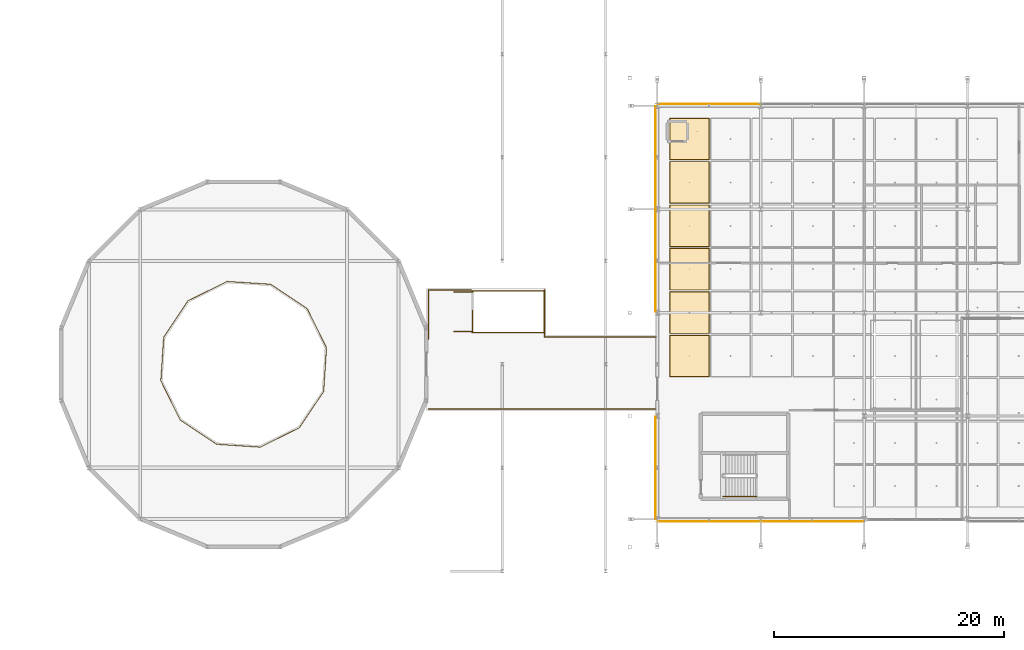
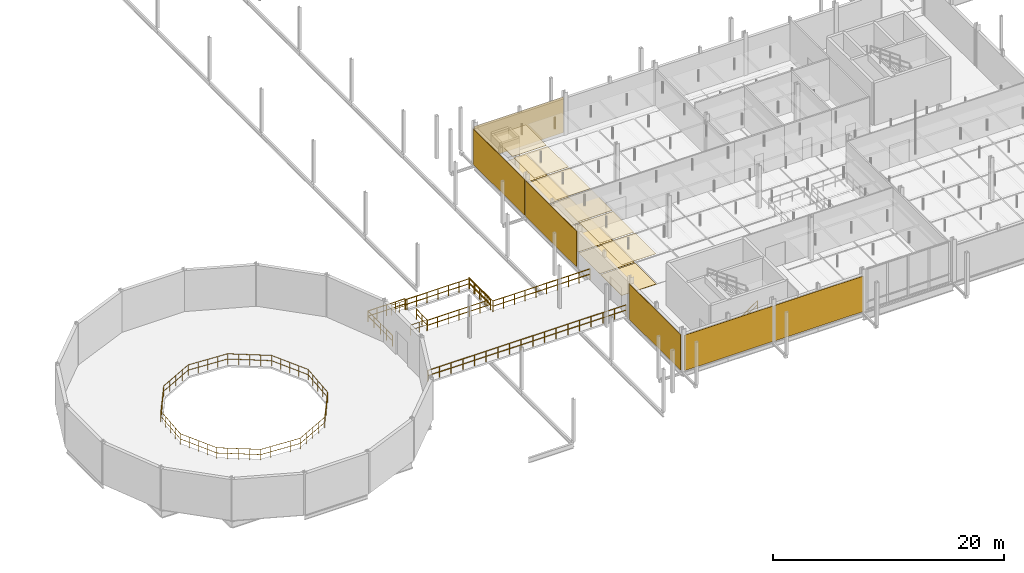
# One storey, part 118 of 130: 18 coverings, 13 railings.
"""IFC4 building model written with IfcOpenShell, lengths in metres."""

from ifc_helpers import new_model, si_unit, direction, frame, origin, origin_2d, place, context, subcontext, project, spatial, rectangle, circle, extrude, material, layer, layer_set, type_object, element, save


model = new_model("IFC4")

# Units and contexts
model_context = context("Model", 3, precision=1e-05, world=origin(), true_north=direction((0.0, 1.0)))
body_context = subcontext(model_context, "Body", "Model", "MODEL_VIEW")
ifc_project = project(units=[si_unit("LENGTHUNIT", "METRE"), si_unit("AREAUNIT", "SQUARE_METRE"), si_unit("VOLUMEUNIT", "CUBIC_METRE"), si_unit("PLANEANGLEUNIT", "RADIAN"), si_unit("MASSUNIT", "GRAM", prefix="KILO"), si_unit("THERMODYNAMICTEMPERATUREUNIT", "KELVIN"), si_unit("POWERUNIT", "WATT")], contexts=[model_context])

# Site, building, storey
site_placement = place(None, origin())
site = spatial("IfcSite", under=ifc_project, at=site_placement, CompositionType="ELEMENT")
building_placement = place(site_placement, origin())
building = spatial("IfcBuilding", under=site, at=building_placement, Name="Tallowbark Science Centre", CompositionType="ELEMENT")
storey_placement = place(building_placement, frame((0.0, 0.0, 5.39990234375)))
storey = spatial("IfcBuildingStorey", under=building, at=storey_placement, Name="L01", CompositionType="ELEMENT", Elevation=5.39990234375)

# Coverings
ifc_material_1 = material(Name="Perforated Spotted Gum Acoustic Baffle Ceiling", Category="wood")
ifc_layer_1 = layer(ifc_material_1, 0.02490234375)
ifc_layer_set_1 = layer_set([ifc_layer_1], Name="Perforated Spotted Gum Acoustic Baffle Ceiling")
covering_type_1 = type_object("IfcCoveringType", Name="CLG-TIM-25", PredefinedType="CEILING", material=ifc_layer_set_1)
for number, where, z_axis, x_axis, name in (
    (1, (61.291748046875, 18.72216796875, 3.187744140625), (0.0, 0.0, 1.0), (1.0, 0.0, 0.0), "Suspended Ceiling L01-483"),
    (2, (61.291748046875, 22.5, 3.187744140625), (0.0, 0.0, 1.0), (1.0, 0.0, 0.0), "Suspended Ceiling L01-484"),
    (3, (61.291748046875, 26.27783203125, 3.187744140625), (0.0, 0.0, 1.0), (1.0, 0.0, 0.0), "Suspended Ceiling L01-485"),
    (4, (61.291748046875, 30.0556640625, 3.187744140625), (0.0, 0.0, 1.0), (1.0, 0.0, 0.0), "Suspended Ceiling L01-486"),
    (5, (61.291748046875, 33.833251953125, 3.187744140625), (0.0, 0.0, 1.0), (1.0, 0.0, 0.0), "Suspended Ceiling L01-487"),
    (6, (61.291748046875, 37.611083984375, 3.187744140625), (0.0, 0.0, 1.0), (1.0, 0.0, 0.0), "Suspended Ceiling L01-488"),
):
    element("IfcCovering", number, at=place(storey_placement, frame(where, z_axis=z_axis, x_axis=x_axis)), inside=storey, type_object=covering_type_1, Name=name, PredefinedType="CEILING", context=body_context, shape_type="SweptSolid", body=[
        extrude(rectangle(XDim=3.4033203125, YDim=3.597900390625, at=origin_2d()), origin(), (0.0, 0.0, 1.0), 0.02490234375),
    ])
ifc_material_2 = material(Name="Spotted Gum Hardwood Architectural Rainscreen", Category="wood")
ifc_layer_2 = layer(ifc_material_2, 0.0419921875)
ifc_layer_set_2 = layer_set([ifc_layer_2], Name="Spotted Gum Hardwood Architectural Rainscreen")
covering_type_2 = type_object("IfcCoveringType", Name="COV-TIM-CLAD", PredefinedType="CLADDING", material=ifc_layer_set_2)
for number, where, z_axis, x_axis, name in (
    (7, (63.0, 4.33154296875, 0.050048828125), (0.0, 0.0, 1.0), (1.0, 0.0, 0.0), "Architectural Rainscreen CUB-S-L01-0"),
    (8, (63.0, 40.66845703125, 0.050048828125), (0.0, 0.0, 1.0), (-1.0, 0.0, 0.0), "Architectural Rainscreen CUB-N-L01-0"),
    (9, (72.0, 4.33154296875, 0.050048828125), (0.0, 0.0, 1.0), (1.0, 0.0, 0.0), "Architectural Rainscreen CUB-S-L01-1"),
    (10, (58.33154296875, 9.0, 0.050048828125), (0.0, 0.0, 1.0), (0.0, -1.0, 0.0), "Architectural Rainscreen CUB-W-L01-0"),
    (11, (58.33154296875, 27.0, 0.050048828125), (0.0, 0.0, 1.0), (0.0, -1.0, 0.0), "Architectural Rainscreen CUB-W-L01-2"),
    (12, (58.33154296875, 36.0, 0.050048828125), (0.0, 0.0, 1.0), (0.0, -1.0, 0.0), "Architectural Rainscreen CUB-W-L01-3"),
):
    element("IfcCovering", number, at=place(storey_placement, frame(where, z_axis=z_axis, x_axis=x_axis)), inside=storey, type_object=covering_type_2, Name=name, PredefinedType="CLADDING", context=body_context, shape_type="SweptSolid", body=[
        extrude(rectangle(XDim=8.8798828125, YDim=0.0419921875, at=origin_2d()), origin(), (0.0, 0.0, 1.0), 3.74609375),
    ])
ifc_material_3 = material(Name="Engineered Blackbutt Gallery Timber Flooring", Category="wood")
ifc_layer_3 = layer(ifc_material_3, 0.02197265625)
ifc_layer_set_3 = layer_set([ifc_layer_3], Name="Engineered Blackbutt Gallery Timber Flooring")
covering_type_3 = type_object("IfcCoveringType", Name="FLR-TIM-22", PredefinedType="FLOORING", material=ifc_layer_set_3)
for number, where, z_axis, x_axis, name in (
    (13, (61.291748046875, 18.72216796875, 0.0), (0.0, 0.0, 1.0), (1.0, 0.0, 0.0), "Floor Finish L01-483"),
    (14, (61.291748046875, 22.5, 0.0), (0.0, 0.0, 1.0), (1.0, 0.0, 0.0), "Floor Finish L01-484"),
    (15, (61.291748046875, 26.27783203125, 0.0), (0.0, 0.0, 1.0), (1.0, 0.0, 0.0), "Floor Finish L01-485"),
    (16, (61.291748046875, 30.0556640625, 0.0), (0.0, 0.0, 1.0), (1.0, 0.0, 0.0), "Floor Finish L01-486"),
    (17, (61.291748046875, 33.833251953125, 0.0), (0.0, 0.0, 1.0), (1.0, 0.0, 0.0), "Floor Finish L01-487"),
    (18, (61.291748046875, 37.611083984375, 0.0), (0.0, 0.0, 1.0), (1.0, 0.0, 0.0), "Floor Finish L01-488"),
):
    element("IfcCovering", number, at=place(storey_placement, frame(where, z_axis=z_axis, x_axis=x_axis)), inside=storey, type_object=covering_type_3, Name=name, PredefinedType="FLOORING", context=body_context, shape_type="SweptSolid", body=[
        extrude(rectangle(XDim=3.46337890625, YDim=3.65771484375, at=origin_2d()), origin(), (0.0, 0.0, 1.0), 0.02197265625),
    ])

# Railings
ifc_material_4 = material(Name="Galvanised Painted Steel and Laminated Glass Balustrade", Category="steel")
ifc_layer_4 = layer(ifc_material_4, 0.070068359375)
ifc_layer_set_4 = layer_set([ifc_layer_4], Name="Galvanised Painted Steel and Laminated Glass Balustrade")
railing_type_1 = type_object("IfcRailingType", Name="RLG-BAL-1150", PredefinedType="BALUSTRADE", material=ifc_layer_set_4)
railing_1_placement = place(storey_placement, frame((38.60009765625, 14.1201171875, 0.0)))
element("IfcRailing", 19, at=railing_1_placement, inside=storey, type_object=railing_type_1, Name="Guardrail GD-BRG-L01-S", PredefinedType="BALUSTRADE", context=body_context, shape_type="SweptSolid", body=[
    extrude(circle(Radius=0.02392578125, at=origin_2d()), frame((0.0, 0.0, 1.1259765625), z_axis=(1.0, 0.0, 0.0), x_axis=(0.0, 1.0, 0.0)), (0.0, 0.0, 1.0), 19.7998046875),
    extrude(circle(Radius=0.02392578125, at=origin_2d()), frame((0.0, 0.0, 0.574951171875), z_axis=(1.0, 0.0, 0.0), x_axis=(0.0, 1.0, 0.0)), (0.0, 0.0, 1.0), 19.7998046875),
    extrude(circle(Radius=0.02099609375, at=origin_2d()), origin(), (0.0, 0.0, 1.0), 1.101806640625),
    extrude(circle(Radius=0.02099609375, at=origin_2d()), frame((1.164794921875, 0.0, 0.0)), (0.0, 0.0, 1.0), 1.101806640625),
    extrude(circle(Radius=0.02099609375, at=origin_2d()), frame((2.329345703125, 0.0, 0.0)), (0.0, 0.0, 1.0), 1.101806640625),
    extrude(circle(Radius=0.02099609375, at=origin_2d()), frame((3.494140625, 0.0, 0.0)), (0.0, 0.0, 1.0), 1.101806640625),
    extrude(circle(Radius=0.02099609375, at=origin_2d()), frame((4.65869140625, 0.0, 0.0)), (0.0, 0.0, 1.0), 1.101806640625),
    extrude(circle(Radius=0.02099609375, at=origin_2d()), frame((5.823486328125, 0.0, 0.0)), (0.0, 0.0, 1.0), 1.101806640625),
    extrude(circle(Radius=0.02099609375, at=origin_2d()), frame((6.98828125, 0.0, 0.0)), (0.0, 0.0, 1.0), 1.101806640625),
    extrude(circle(Radius=0.02099609375, at=origin_2d()), frame((8.15283203125, 0.0, 0.0)), (0.0, 0.0, 1.0), 1.101806640625),
    extrude(circle(Radius=0.02099609375, at=origin_2d()), frame((9.317626953125, 0.0, 0.0)), (0.0, 0.0, 1.0), 1.101806640625),
    extrude(circle(Radius=0.02099609375, at=origin_2d()), frame((10.482177734375, 0.0, 0.0)), (0.0, 0.0, 1.0), 1.101806640625),
    extrude(circle(Radius=0.02099609375, at=origin_2d()), frame((11.64697265625, 0.0, 0.0)), (0.0, 0.0, 1.0), 1.101806640625),
    extrude(circle(Radius=0.02099609375, at=origin_2d()), frame((12.8115234375, 0.0, 0.0)), (0.0, 0.0, 1.0), 1.101806640625),
    extrude(circle(Radius=0.02099609375, at=origin_2d()), frame((13.976318359375, 0.0, 0.0)), (0.0, 0.0, 1.0), 1.101806640625),
    extrude(circle(Radius=0.02099609375, at=origin_2d()), frame((15.14111328125, 0.0, 0.0)), (0.0, 0.0, 1.0), 1.101806640625),
    extrude(circle(Radius=0.02099609375, at=origin_2d()), frame((16.3056640625, 0.0, 0.0)), (0.0, 0.0, 1.0), 1.101806640625),
    extrude(circle(Radius=0.02099609375, at=origin_2d()), frame((17.470458984375, 0.0, 0.0)), (0.0, 0.0, 1.0), 1.101806640625),
    extrude(circle(Radius=0.02099609375, at=origin_2d()), frame((18.635009765625, 0.0, 0.0)), (0.0, 0.0, 1.0), 1.101806640625),
    extrude(circle(Radius=0.02099609375, at=origin_2d()), frame((19.7998046875, 0.0, 0.0)), (0.0, 0.0, 1.0), 1.101806640625),
])
railing_2_placement = place(storey_placement, frame((48.699951171875, 20.3798828125, 0.0)))
element("IfcRailing", 20, at=railing_2_placement, inside=storey, type_object=railing_type_1, Name="Guardrail GD-BRG-L01-NE", PredefinedType="BALUSTRADE", context=body_context, shape_type="SweptSolid", body=[
    extrude(circle(Radius=0.02392578125, at=origin_2d()), frame((0.0, 0.0, 1.1259765625), z_axis=(1.0, 0.0, 0.0), x_axis=(0.0, 1.0, 0.0)), (0.0, 0.0, 1.0), 9.699951171875),
    extrude(circle(Radius=0.02392578125, at=origin_2d()), frame((0.0, 0.0, 0.574951171875), z_axis=(1.0, 0.0, 0.0), x_axis=(0.0, 1.0, 0.0)), (0.0, 0.0, 1.0), 9.699951171875),
    extrude(circle(Radius=0.02099609375, at=origin_2d()), origin(), (0.0, 0.0, 1.0), 1.101806640625),
    extrude(circle(Radius=0.02099609375, at=origin_2d()), frame((1.077880859375, 0.0, 0.0)), (0.0, 0.0, 1.0), 1.101806640625),
    extrude(circle(Radius=0.02099609375, at=origin_2d()), frame((2.155517578125, 0.0, 0.0)), (0.0, 0.0, 1.0), 1.101806640625),
    extrude(circle(Radius=0.02099609375, at=origin_2d()), frame((3.2333984375, 0.0, 0.0)), (0.0, 0.0, 1.0), 1.101806640625),
    extrude(circle(Radius=0.02099609375, at=origin_2d()), frame((4.31103515625, 0.0, 0.0)), (0.0, 0.0, 1.0), 1.101806640625),
    extrude(circle(Radius=0.02099609375, at=origin_2d()), frame((5.388916015625, 0.0, 0.0)), (0.0, 0.0, 1.0), 1.101806640625),
    extrude(circle(Radius=0.02099609375, at=origin_2d()), frame((6.466552734375, 0.0, 0.0)), (0.0, 0.0, 1.0), 1.101806640625),
    extrude(circle(Radius=0.02099609375, at=origin_2d()), frame((7.54443359375, 0.0, 0.0)), (0.0, 0.0, 1.0), 1.101806640625),
    extrude(circle(Radius=0.02099609375, at=origin_2d()), frame((8.6220703125, 0.0, 0.0)), (0.0, 0.0, 1.0), 1.101806640625),
    extrude(circle(Radius=0.02099609375, at=origin_2d()), frame((9.699951171875, 0.0, 0.0)), (0.0, 0.0, 1.0), 1.101806640625),
])
railing_3_placement = place(storey_placement, frame((38.60009765625, 24.47998046875, 0.0)))
element("IfcRailing", 21, at=railing_3_placement, inside=storey, type_object=railing_type_1, Name="Guardrail GD-BRG-L01-NW", PredefinedType="BALUSTRADE", context=body_context, shape_type="SweptSolid", body=[
    extrude(circle(Radius=0.02392578125, at=origin_2d()), frame((0.0, 0.0, 1.1259765625), z_axis=(1.0, 0.0, 0.0), x_axis=(0.0, 1.0, 0.0)), (0.0, 0.0, 1.0), 3.699951171875),
    extrude(circle(Radius=0.02392578125, at=origin_2d()), frame((0.0, 0.0, 0.574951171875), z_axis=(1.0, 0.0, 0.0), x_axis=(0.0, 1.0, 0.0)), (0.0, 0.0, 1.0), 3.699951171875),
    extrude(circle(Radius=0.02099609375, at=origin_2d()), origin(), (0.0, 0.0, 1.0), 1.101806640625),
    extrude(circle(Radius=0.02099609375, at=origin_2d()), frame((0.925048828125, 0.0, 0.0)), (0.0, 0.0, 1.0), 1.101806640625),
    extrude(circle(Radius=0.02099609375, at=origin_2d()), frame((1.85009765625, 0.0, 0.0)), (0.0, 0.0, 1.0), 1.101806640625),
    extrude(circle(Radius=0.02099609375, at=origin_2d()), frame((2.77490234375, 0.0, 0.0)), (0.0, 0.0, 1.0), 1.101806640625),
    extrude(circle(Radius=0.02099609375, at=origin_2d()), frame((3.699951171875, 0.0, 0.0)), (0.0, 0.0, 1.0), 1.101806640625),
])
railing_4_placement = place(storey_placement, frame((38.60009765625, 20.199951171875, 0.0)))
element("IfcRailing", 22, at=railing_4_placement, inside=storey, type_object=railing_type_1, Name="Guardrail GD-BRG-L01-W", PredefinedType="BALUSTRADE", context=body_context, shape_type="SweptSolid", body=[
    extrude(circle(Radius=0.02392578125, at=origin_2d()), frame((0.0, 0.0, 1.1259765625), z_axis=(0.0, 1.0, 0.0), x_axis=(-1.0, 0.0, 0.0)), (0.0, 0.0, 1.0), 4.280029296875),
    extrude(circle(Radius=0.02392578125, at=origin_2d()), frame((0.0, 0.0, 0.574951171875), z_axis=(0.0, 1.0, 0.0), x_axis=(-1.0, 0.0, 0.0)), (0.0, 0.0, 1.0), 4.280029296875),
    extrude(circle(Radius=0.02099609375, at=origin_2d()), origin(), (0.0, 0.0, 1.0), 1.101806640625),
    extrude(circle(Radius=0.02099609375, at=origin_2d()), frame((0.0, 1.070068359375, 0.0)), (0.0, 0.0, 1.0), 1.101806640625),
    extrude(circle(Radius=0.02099609375, at=origin_2d()), frame((0.0, 2.14013671875, 0.0)), (0.0, 0.0, 1.0), 1.101806640625),
    extrude(circle(Radius=0.02099609375, at=origin_2d()), frame((0.0, 3.2099609375, 0.0)), (0.0, 0.0, 1.0), 1.101806640625),
    extrude(circle(Radius=0.02099609375, at=origin_2d()), frame((0.0, 4.280029296875, 0.0)), (0.0, 0.0, 1.0), 1.101806640625),
])
railing_5_placement = place(storey_placement, frame((48.699951171875, 20.3798828125, 0.0)))
element("IfcRailing", 23, at=railing_5_placement, inside=storey, type_object=railing_type_1, Name="Guardrail GD-BRG-L01-E", PredefinedType="BALUSTRADE", context=body_context, shape_type="SweptSolid", body=[
    extrude(circle(Radius=0.02392578125, at=origin_2d()), frame((0.0, 0.0, 1.1259765625), z_axis=(0.0, 1.0, 0.0), x_axis=(-1.0, 0.0, 0.0)), (0.0, 0.0, 1.0), 4.10009765625),
    extrude(circle(Radius=0.02392578125, at=origin_2d()), frame((0.0, 0.0, 0.574951171875), z_axis=(0.0, 1.0, 0.0), x_axis=(-1.0, 0.0, 0.0)), (0.0, 0.0, 1.0), 4.10009765625),
    extrude(circle(Radius=0.02099609375, at=origin_2d()), origin(), (0.0, 0.0, 1.0), 1.101806640625),
    extrude(circle(Radius=0.02099609375, at=origin_2d()), frame((0.0, 1.02490234375, 0.0)), (0.0, 0.0, 1.0), 1.101806640625),
    extrude(circle(Radius=0.02099609375, at=origin_2d()), frame((0.0, 2.050048828125, 0.0)), (0.0, 0.0, 1.0), 1.101806640625),
    extrude(circle(Radius=0.02099609375, at=origin_2d()), frame((0.0, 3.0751953125, 0.0)), (0.0, 0.0, 1.0), 1.101806640625),
    extrude(circle(Radius=0.02099609375, at=origin_2d()), frame((0.0, 4.10009765625, 0.0)), (0.0, 0.0, 1.0), 1.101806640625),
])
railing_6_placement = place(storey_placement, frame((29.708740234375, 19.433837890625, 0.0)))
element("IfcRailing", 24, at=railing_6_placement, inside=storey, type_object=railing_type_1, Name="Guardrail GD-DRM-VOID-L01", PredefinedType="BALUSTRADE", context=body_context, shape_type="SweptSolid", body=[
    extrude(circle(Radius=0.02392578125, at=origin_2d()), frame((0.0, 0.0, 1.1259765625), z_axis=(-0.442252887772, 0.896890396457, 0.0), x_axis=(-0.896890396457, -0.442252887772, 0.0)), (0.0, 0.0, 1.0), 3.8046875),
    extrude(circle(Radius=0.02392578125, at=origin_2d()), frame((0.0, 0.0, 0.574951171875), z_axis=(-0.442252887772, 0.896890396457, 0.0), x_axis=(-0.896890396457, -0.442252887772, 0.0)), (0.0, 0.0, 1.0), 3.8046875),
    extrude(circle(Radius=0.02392578125, at=origin_2d()), frame((-1.6826171875, 3.412353515625, 1.1259765625), z_axis=(-0.831477283109, 0.555558752675, 0.0), x_axis=(-0.555558752675, -0.831477283109, 0.0)), (0.0, 0.0, 1.0), 3.8046875),
    extrude(circle(Radius=0.02392578125, at=origin_2d()), frame((-1.6826171875, 3.412353515625, 0.574951171875), z_axis=(-0.831477283109, 0.555558752675, 0.0), x_axis=(-0.555558752675, -0.831477283109, 0.0)), (0.0, 0.0, 1.0), 3.8046875),
    extrude(circle(Radius=0.02392578125, at=origin_2d()), frame((-4.84619140625, 5.526123046875, 1.1259765625), z_axis=(-0.997859764303, 0.065390295809, 0.0), x_axis=(-0.065390295809, -0.997859764303, 0.0)), (0.0, 0.0, 1.0), 3.804443359375),
    extrude(circle(Radius=0.02392578125, at=origin_2d()), frame((-4.84619140625, 5.526123046875, 0.574951171875), z_axis=(-0.997859764303, 0.065390295809, 0.0), x_axis=(-0.065390295809, -0.997859764303, 0.0)), (0.0, 0.0, 1.0), 3.804443359375),
    extrude(circle(Radius=0.02392578125, at=origin_2d()), frame((-8.642578125, 5.77490234375, 1.1259765625), z_axis=(-0.896890396457, -0.442252887772, 0.0), x_axis=(0.442252887772, -0.896890396457, 0.0)), (0.0, 0.0, 1.0), 3.8046875),
    extrude(circle(Radius=0.02392578125, at=origin_2d()), frame((-8.642578125, 5.77490234375, 0.574951171875), z_axis=(-0.896890396457, -0.442252887772, 0.0), x_axis=(0.442252887772, -0.896890396457, 0.0)), (0.0, 0.0, 1.0), 3.8046875),
    extrude(circle(Radius=0.02392578125, at=origin_2d()), frame((-12.054931640625, 4.09228515625, 1.1259765625), z_axis=(-0.555558752675, -0.831477283109, 0.0), x_axis=(0.831477283109, -0.555558752675, 0.0)), (0.0, 0.0, 1.0), 3.8046875),
    extrude(circle(Radius=0.02392578125, at=origin_2d()), frame((-12.054931640625, 4.09228515625, 0.574951171875), z_axis=(-0.555558752675, -0.831477283109, 0.0), x_axis=(0.831477283109, -0.555558752675, 0.0)), (0.0, 0.0, 1.0), 3.8046875),
    extrude(circle(Radius=0.02392578125, at=origin_2d()), frame((-14.168701171875, 0.9287109375, 1.1259765625), z_axis=(-0.065390295809, -0.997859764303, 0.0), x_axis=(0.997859764303, -0.065390295809, 0.0)), (0.0, 0.0, 1.0), 3.804443359375),
    extrude(circle(Radius=0.02392578125, at=origin_2d()), frame((-14.168701171875, 0.9287109375, 0.574951171875), z_axis=(-0.065390295809, -0.997859764303, 0.0), x_axis=(0.997859764303, -0.065390295809, 0.0)), (0.0, 0.0, 1.0), 3.804443359375),
    extrude(circle(Radius=0.02392578125, at=origin_2d()), frame((-14.41748046875, -2.86767578125, 1.1259765625), z_axis=(0.442252887772, -0.896890396457, 0.0), x_axis=(0.896890396457, 0.442252887772, 0.0)), (0.0, 0.0, 1.0), 3.8046875),
    extrude(circle(Radius=0.02392578125, at=origin_2d()), frame((-14.41748046875, -2.86767578125, 0.574951171875), z_axis=(0.442252887772, -0.896890396457, 0.0), x_axis=(0.896890396457, 0.442252887772, 0.0)), (0.0, 0.0, 1.0), 3.8046875),
    extrude(circle(Radius=0.02392578125, at=origin_2d()), frame((-12.73486328125, -6.280029296875, 1.1259765625), z_axis=(0.831477283109, -0.555558752675, 0.0), x_axis=(0.555558752675, 0.831477283109, 0.0)), (0.0, 0.0, 1.0), 3.8046875),
    extrude(circle(Radius=0.02392578125, at=origin_2d()), frame((-12.73486328125, -6.280029296875, 0.574951171875), z_axis=(0.831477283109, -0.555558752675, 0.0), x_axis=(0.555558752675, 0.831477283109, 0.0)), (0.0, 0.0, 1.0), 3.8046875),
    extrude(circle(Radius=0.02392578125, at=origin_2d()), frame((-9.5712890625, -8.393798828125, 1.1259765625), z_axis=(0.997859764303, -0.065390295809, 0.0), x_axis=(0.065390295809, 0.997859764303, 0.0)), (0.0, 0.0, 1.0), 3.804443359375),
    extrude(circle(Radius=0.02392578125, at=origin_2d()), frame((-9.5712890625, -8.393798828125, 0.574951171875), z_axis=(0.997859764303, -0.065390295809, 0.0), x_axis=(0.065390295809, 0.997859764303, 0.0)), (0.0, 0.0, 1.0), 3.804443359375),
    extrude(circle(Radius=0.02392578125, at=origin_2d()), frame((-5.77490234375, -8.642578125, 1.1259765625), z_axis=(0.896890396457, 0.442252887772, 0.0), x_axis=(-0.442252887772, 0.896890396457, 0.0)), (0.0, 0.0, 1.0), 3.8046875),
    extrude(circle(Radius=0.02392578125, at=origin_2d()), frame((-5.77490234375, -8.642578125, 0.574951171875), z_axis=(0.896890396457, 0.442252887772, 0.0), x_axis=(-0.442252887772, 0.896890396457, 0.0)), (0.0, 0.0, 1.0), 3.8046875),
    extrude(circle(Radius=0.02392578125, at=origin_2d()), frame((-2.362548828125, -6.9599609375, 1.1259765625), z_axis=(0.555558752675, 0.831477283109, 0.0), x_axis=(-0.831477283109, 0.555558752675, 0.0)), (0.0, 0.0, 1.0), 3.8046875),
    extrude(circle(Radius=0.02392578125, at=origin_2d()), frame((-2.362548828125, -6.9599609375, 0.574951171875), z_axis=(0.555558752675, 0.831477283109, 0.0), x_axis=(-0.831477283109, 0.555558752675, 0.0)), (0.0, 0.0, 1.0), 3.8046875),
    extrude(circle(Radius=0.02392578125, at=origin_2d()), frame((-0.248779296875, -3.79638671875, 1.1259765625), z_axis=(0.065390295809, 0.997859764303, 0.0), x_axis=(-0.997859764303, 0.065390295809, 0.0)), (0.0, 0.0, 1.0), 3.804443359375),
    extrude(circle(Radius=0.02392578125, at=origin_2d()), frame((-0.248779296875, -3.79638671875, 0.574951171875), z_axis=(0.065390295809, 0.997859764303, 0.0), x_axis=(-0.997859764303, 0.065390295809, 0.0)), (0.0, 0.0, 1.0), 3.804443359375),
    extrude(circle(Radius=0.02099609375, at=origin_2d()), origin(), (0.0, 0.0, 1.0), 1.101806640625),
    extrude(circle(Radius=0.02099609375, at=origin_2d()), frame((-0.420654296875, 0.85302734375, 0.0)), (0.0, 0.0, 1.0), 1.101806640625),
    extrude(circle(Radius=0.02099609375, at=origin_2d()), frame((-0.84130859375, 1.7060546875, 0.0)), (0.0, 0.0, 1.0), 1.101806640625),
    extrude(circle(Radius=0.02099609375, at=origin_2d()), frame((-1.261962890625, 2.559326171875, 0.0)), (0.0, 0.0, 1.0), 1.101806640625),
    extrude(circle(Radius=0.02099609375, at=origin_2d()), frame((-1.6826171875, 3.412353515625, 0.0)), (0.0, 0.0, 1.0), 1.101806640625),
    extrude(circle(Radius=0.02099609375, at=origin_2d()), frame((-2.4736328125, 3.94091796875, 0.0)), (0.0, 0.0, 1.0), 1.101806640625),
    extrude(circle(Radius=0.02099609375, at=origin_2d()), frame((-3.264404296875, 4.46923828125, 0.0)), (0.0, 0.0, 1.0), 1.101806640625),
    extrude(circle(Radius=0.02099609375, at=origin_2d()), frame((-4.05517578125, 4.99755859375, 0.0)), (0.0, 0.0, 1.0), 1.101806640625),
    extrude(circle(Radius=0.02099609375, at=origin_2d()), frame((-4.84619140625, 5.526123046875, 0.0)), (0.0, 0.0, 1.0), 1.101806640625),
    extrude(circle(Radius=0.02099609375, at=origin_2d()), frame((-5.79541015625, 5.58837890625, 0.0)), (0.0, 0.0, 1.0), 1.101806640625),
    extrude(circle(Radius=0.02099609375, at=origin_2d()), frame((-6.744384765625, 5.650390625, 0.0)), (0.0, 0.0, 1.0), 1.101806640625),
    extrude(circle(Radius=0.02099609375, at=origin_2d()), frame((-7.693359375, 5.712646484375, 0.0)), (0.0, 0.0, 1.0), 1.101806640625),
    extrude(circle(Radius=0.02099609375, at=origin_2d()), frame((-8.642578125, 5.77490234375, 0.0)), (0.0, 0.0, 1.0), 1.101806640625),
    extrude(circle(Radius=0.02099609375, at=origin_2d()), frame((-9.49560546875, 5.354248046875, 0.0)), (0.0, 0.0, 1.0), 1.101806640625),
    extrude(circle(Radius=0.02099609375, at=origin_2d()), frame((-10.3486328125, 4.93359375, 0.0)), (0.0, 0.0, 1.0), 1.101806640625),
    extrude(circle(Radius=0.02099609375, at=origin_2d()), frame((-11.201904296875, 4.512939453125, 0.0)), (0.0, 0.0, 1.0), 1.101806640625),
    extrude(circle(Radius=0.02099609375, at=origin_2d()), frame((-12.054931640625, 4.09228515625, 0.0)), (0.0, 0.0, 1.0), 1.101806640625),
    extrude(circle(Radius=0.02099609375, at=origin_2d()), frame((-12.58349609375, 3.30126953125, 0.0)), (0.0, 0.0, 1.0), 1.101806640625),
    extrude(circle(Radius=0.02099609375, at=origin_2d()), frame((-13.11181640625, 2.510498046875, 0.0)), (0.0, 0.0, 1.0), 1.101806640625),
    extrude(circle(Radius=0.02099609375, at=origin_2d()), frame((-13.64013671875, 1.7197265625, 0.0)), (0.0, 0.0, 1.0), 1.101806640625),
    extrude(circle(Radius=0.02099609375, at=origin_2d()), frame((-14.168701171875, 0.9287109375, 0.0)), (0.0, 0.0, 1.0), 1.101806640625),
    extrude(circle(Radius=0.02099609375, at=origin_2d()), frame((-14.23095703125, -0.0205078125, 0.0)), (0.0, 0.0, 1.0), 1.101806640625),
    extrude(circle(Radius=0.02099609375, at=origin_2d()), frame((-14.29296875, -0.969482421875, 0.0)), (0.0, 0.0, 1.0), 1.101806640625),
    extrude(circle(Radius=0.02099609375, at=origin_2d()), frame((-14.355224609375, -1.91845703125, 0.0)), (0.0, 0.0, 1.0), 1.101806640625),
    extrude(circle(Radius=0.02099609375, at=origin_2d()), frame((-14.41748046875, -2.86767578125, 0.0)), (0.0, 0.0, 1.0), 1.101806640625),
    extrude(circle(Radius=0.02099609375, at=origin_2d()), frame((-13.996826171875, -3.720703125, 0.0)), (0.0, 0.0, 1.0), 1.101806640625),
    extrude(circle(Radius=0.02099609375, at=origin_2d()), frame((-13.576171875, -4.57373046875, 0.0)), (0.0, 0.0, 1.0), 1.101806640625),
    extrude(circle(Radius=0.02099609375, at=origin_2d()), frame((-13.155517578125, -5.427001953125, 0.0)), (0.0, 0.0, 1.0), 1.101806640625),
    extrude(circle(Radius=0.02099609375, at=origin_2d()), frame((-12.73486328125, -6.280029296875, 0.0)), (0.0, 0.0, 1.0), 1.101806640625),
    extrude(circle(Radius=0.02099609375, at=origin_2d()), frame((-11.94384765625, -6.80859375, 0.0)), (0.0, 0.0, 1.0), 1.101806640625),
    extrude(circle(Radius=0.02099609375, at=origin_2d()), frame((-11.153076171875, -7.3369140625, 0.0)), (0.0, 0.0, 1.0), 1.101806640625),
    extrude(circle(Radius=0.02099609375, at=origin_2d()), frame((-10.3623046875, -7.865234375, 0.0)), (0.0, 0.0, 1.0), 1.101806640625),
    extrude(circle(Radius=0.02099609375, at=origin_2d()), frame((-9.5712890625, -8.393798828125, 0.0)), (0.0, 0.0, 1.0), 1.101806640625),
    extrude(circle(Radius=0.02099609375, at=origin_2d()), frame((-8.6220703125, -8.4560546875, 0.0)), (0.0, 0.0, 1.0), 1.101806640625),
    extrude(circle(Radius=0.02099609375, at=origin_2d()), frame((-7.673095703125, -8.51806640625, 0.0)), (0.0, 0.0, 1.0), 1.101806640625),
    extrude(circle(Radius=0.02099609375, at=origin_2d()), frame((-6.72412109375, -8.580322265625, 0.0)), (0.0, 0.0, 1.0), 1.101806640625),
    extrude(circle(Radius=0.02099609375, at=origin_2d()), frame((-5.77490234375, -8.642578125, 0.0)), (0.0, 0.0, 1.0), 1.101806640625),
    extrude(circle(Radius=0.02099609375, at=origin_2d()), frame((-4.921875, -8.221923828125, 0.0)), (0.0, 0.0, 1.0), 1.101806640625),
    extrude(circle(Radius=0.02099609375, at=origin_2d()), frame((-4.06884765625, -7.80126953125, 0.0)), (0.0, 0.0, 1.0), 1.101806640625),
    extrude(circle(Radius=0.02099609375, at=origin_2d()), frame((-3.215576171875, -7.380615234375, 0.0)), (0.0, 0.0, 1.0), 1.101806640625),
    extrude(circle(Radius=0.02099609375, at=origin_2d()), frame((-2.362548828125, -6.9599609375, 0.0)), (0.0, 0.0, 1.0), 1.101806640625),
    extrude(circle(Radius=0.02099609375, at=origin_2d()), frame((-1.833984375, -6.1689453125, 0.0)), (0.0, 0.0, 1.0), 1.101806640625),
    extrude(circle(Radius=0.02099609375, at=origin_2d()), frame((-1.3056640625, -5.378173828125, 0.0)), (0.0, 0.0, 1.0), 1.101806640625),
    extrude(circle(Radius=0.02099609375, at=origin_2d()), frame((-0.77734375, -4.58740234375, 0.0)), (0.0, 0.0, 1.0), 1.101806640625),
    extrude(circle(Radius=0.02099609375, at=origin_2d()), frame((-0.248779296875, -3.79638671875, 0.0)), (0.0, 0.0, 1.0), 1.101806640625),
    extrude(circle(Radius=0.02099609375, at=origin_2d()), frame((-0.1865234375, -2.84716796875, 0.0)), (0.0, 0.0, 1.0), 1.101806640625),
    extrude(circle(Radius=0.02099609375, at=origin_2d()), frame((-0.12451171875, -1.898193359375, 0.0)), (0.0, 0.0, 1.0), 1.101806640625),
    extrude(circle(Radius=0.02099609375, at=origin_2d()), frame((-0.062255859375, -0.94921875, 0.0)), (0.0, 0.0, 1.0), 1.101806640625),
])
railing_7_placement = place(storey_placement, frame((42.39990234375, 20.800048828125, 0.0)))
element("IfcRailing", 25, at=railing_7_placement, inside=storey, type_object=railing_type_1, Name="L01 ST-08 top well guard 1", PredefinedType="BALUSTRADE", context=body_context, shape_type="SweptSolid", body=[
    extrude(circle(Radius=0.02392578125, at=origin_2d()), frame((0.0, 0.0, 1.076171875), z_axis=(0.0, 1.0, 0.0), x_axis=(-1.0, 0.0, 0.0)), (0.0, 0.0, 1.0), 1.889892578125),
    extrude(circle(Radius=0.02392578125, at=origin_2d()), frame((0.0, 0.0, 0.550048828125), z_axis=(0.0, 1.0, 0.0), x_axis=(-1.0, 0.0, 0.0)), (0.0, 0.0, 1.0), 1.889892578125),
    extrude(circle(Radius=0.02099609375, at=origin_2d()), origin(), (0.0, 0.0, 1.0), 1.052001953125),
    extrude(circle(Radius=0.02099609375, at=origin_2d()), frame((0.0, 0.94482421875, 0.0)), (0.0, 0.0, 1.0), 1.052001953125),
    extrude(circle(Radius=0.02099609375, at=origin_2d()), frame((0.0, 1.889892578125, 0.0)), (0.0, 0.0, 1.0), 1.052001953125),
])
for number, where, name in (
    (26, (42.35009765625, 20.75, 0.0), "L01 ST-08 top well guard 2"),
    (27, (42.35009765625, 24.389892578125, 0.0), "L01 ST-08 top well guard 3"),
):
    element("IfcRailing", number, at=place(storey_placement, frame(where)), inside=storey, type_object=railing_type_1, Name=name, PredefinedType="BALUSTRADE", context=body_context, shape_type="SweptSolid", body=[
        extrude(circle(Radius=0.02392578125, at=origin_2d()), frame((0.0, 0.0, 1.076171875), z_axis=(1.0, 0.0, 0.0), x_axis=(0.0, 1.0, 0.0)), (0.0, 0.0, 1.0), 6.349853515625),
        extrude(circle(Radius=0.02392578125, at=origin_2d()), frame((0.0, 0.0, 0.550048828125), z_axis=(1.0, 0.0, 0.0), x_axis=(0.0, 1.0, 0.0)), (0.0, 0.0, 1.0), 6.349853515625),
        extrude(circle(Radius=0.02099609375, at=origin_2d()), origin(), (0.0, 0.0, 1.0), 1.052001953125),
        extrude(circle(Radius=0.02099609375, at=origin_2d()), frame((1.058349609375, 0.0, 0.0)), (0.0, 0.0, 1.0), 1.052001953125),
        extrude(circle(Radius=0.02099609375, at=origin_2d()), frame((2.11669921875, 0.0, 0.0)), (0.0, 0.0, 1.0), 1.052001953125),
        extrude(circle(Radius=0.02099609375, at=origin_2d()), frame((3.1748046875, 0.0, 0.0)), (0.0, 0.0, 1.0), 1.052001953125),
        extrude(circle(Radius=0.02099609375, at=origin_2d()), frame((4.233154296875, 0.0, 0.0)), (0.0, 0.0, 1.0), 1.052001953125),
        extrude(circle(Radius=0.02099609375, at=origin_2d()), frame((5.29150390625, 0.0, 0.0)), (0.0, 0.0, 1.0), 1.052001953125),
        extrude(circle(Radius=0.02099609375, at=origin_2d()), frame((6.349853515625, 0.0, 0.0)), (0.0, 0.0, 1.0), 1.052001953125),
    ])
railing_8_placement = place(storey_placement, frame((48.64990234375, 20.699951171875, 0.0)))
element("IfcRailing", 28, at=railing_8_placement, inside=storey, type_object=railing_type_1, Name="L01 ST-08 top well guard 4", PredefinedType="BALUSTRADE", context=body_context, shape_type="SweptSolid", body=[
    extrude(circle(Radius=0.02392578125, at=origin_2d()), frame((0.0, 0.0, 1.076171875), z_axis=(0.0, 1.0, 0.0), x_axis=(-1.0, 0.0, 0.0)), (0.0, 0.0, 1.0), 3.739990234375),
    extrude(circle(Radius=0.02392578125, at=origin_2d()), frame((0.0, 0.0, 0.550048828125), z_axis=(0.0, 1.0, 0.0), x_axis=(-1.0, 0.0, 0.0)), (0.0, 0.0, 1.0), 3.739990234375),
    extrude(circle(Radius=0.02099609375, at=origin_2d()), origin(), (0.0, 0.0, 1.0), 1.052001953125),
    extrude(circle(Radius=0.02099609375, at=origin_2d()), frame((0.0, 0.93505859375, 0.0)), (0.0, 0.0, 1.0), 1.052001953125),
    extrude(circle(Radius=0.02099609375, at=origin_2d()), frame((0.0, 1.8701171875, 0.0)), (0.0, 0.0, 1.0), 1.052001953125),
    extrude(circle(Radius=0.02099609375, at=origin_2d()), frame((0.0, 2.804931640625, 0.0)), (0.0, 0.0, 1.0), 1.052001953125),
    extrude(circle(Radius=0.02099609375, at=origin_2d()), frame((0.0, 3.739990234375, 0.0)), (0.0, 0.0, 1.0), 1.052001953125),
])
for number, where, name in (
    (29, (40.800048828125, 20.85009765625, 0.0), "L01 ST-08 top well guard 5"),
    (30, (40.800048828125, 24.2900390625, 0.0), "L01 ST-08 top well guard 6"),
):
    element("IfcRailing", number, at=place(storey_placement, frame(where)), inside=storey, type_object=railing_type_1, Name=name, PredefinedType="BALUSTRADE", context=body_context, shape_type="SweptSolid", body=[
        extrude(circle(Radius=0.02392578125, at=origin_2d()), frame((0.0, 0.0, 1.076171875), z_axis=(1.0, 0.0, 0.0), x_axis=(0.0, 1.0, 0.0)), (0.0, 0.0, 1.0), 1.64990234375),
        extrude(circle(Radius=0.02392578125, at=origin_2d()), frame((0.0, 0.0, 0.550048828125), z_axis=(1.0, 0.0, 0.0), x_axis=(0.0, 1.0, 0.0)), (0.0, 0.0, 1.0), 1.64990234375),
        extrude(circle(Radius=0.02099609375, at=origin_2d()), origin(), (0.0, 0.0, 1.0), 1.052001953125),
        extrude(circle(Radius=0.02099609375, at=origin_2d()), frame((0.824951171875, 0.0, 0.0)), (0.0, 0.0, 1.0), 1.052001953125),
        extrude(circle(Radius=0.02099609375, at=origin_2d()), frame((1.64990234375, 0.0, 0.0)), (0.0, 0.0, 1.0), 1.052001953125),
    ])
ifc_material_5 = material(Name="Brushed Grade 316 Stainless Steel Handrail", Category="steel")
ifc_layer_5 = layer(ifc_material_5, 0.050048828125)
ifc_layer_set_5 = layer_set([ifc_layer_5], Name="Brushed Grade 316 Stainless Steel Handrail")
railing_type_2 = type_object("IfcRailingType", Name="RLG-HDR-950", PredefinedType="HANDRAIL", material=ifc_layer_set_5)
railing_9_placement = place(storey_placement, frame((64.2099609375, 6.5, 0.1875)))
element("IfcRailing", 31, at=railing_9_placement, inside=storey, type_object=railing_type_2, Name="L01 ST-07 stair handrail 1", PredefinedType="HANDRAIL", context=body_context, shape_type="SweptSolid", body=[
    extrude(circle(Radius=0.02392578125, at=origin_2d()), frame((0.0, 0.0, 0.8759765625), z_axis=(0.816330724661, 0.0, 0.577584753931), x_axis=(0.0, 1.0, 0.0)), (0.0, 0.0, 1.0), 3.57080078125),
    extrude(circle(Radius=0.02392578125, at=origin_2d()), frame((0.0, 0.0, 0.449951171875), z_axis=(0.816330724661, 0.0, 0.577584753931), x_axis=(0.0, 1.0, 0.0)), (0.0, 0.0, 1.0), 3.57080078125),
    extrude(circle(Radius=0.02099609375, at=origin_2d()), origin(), (0.0, 0.0, 1.0), 0.851806640625),
    extrude(circle(Radius=0.02099609375, at=origin_2d()), frame((0.9716796875, 0.0, 0.6875)), (0.0, 0.0, 1.0), 0.851806640625),
    extrude(circle(Radius=0.02099609375, at=origin_2d()), frame((1.943359375, 0.0, 1.375)), (0.0, 0.0, 1.0), 0.851806640625),
    extrude(circle(Radius=0.02099609375, at=origin_2d()), frame((2.9150390625, 0.0, 2.0625)), (0.0, 0.0, 1.0), 0.851806640625),
])

save(model, "model.ifc")
